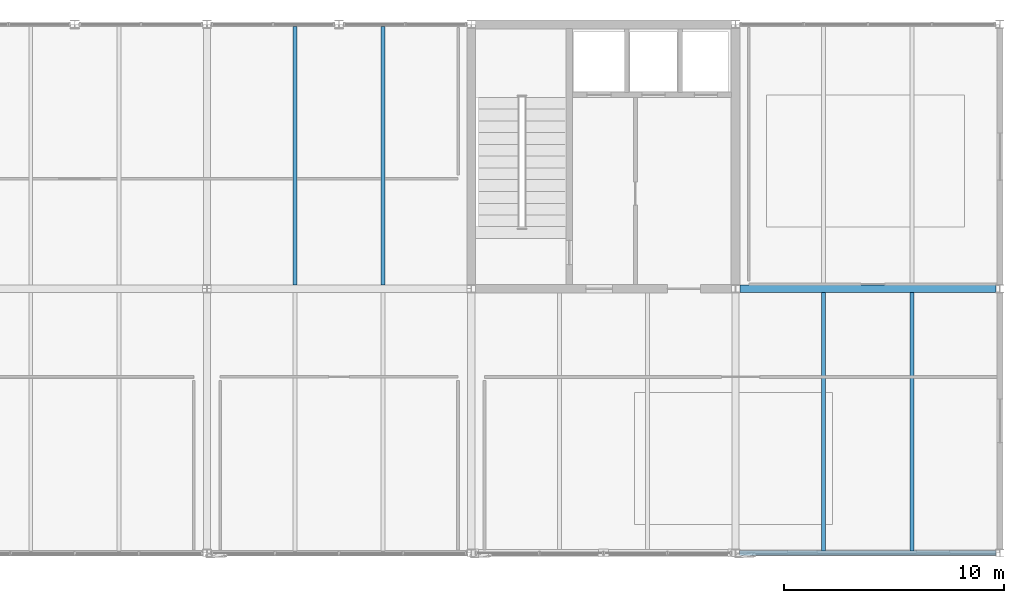
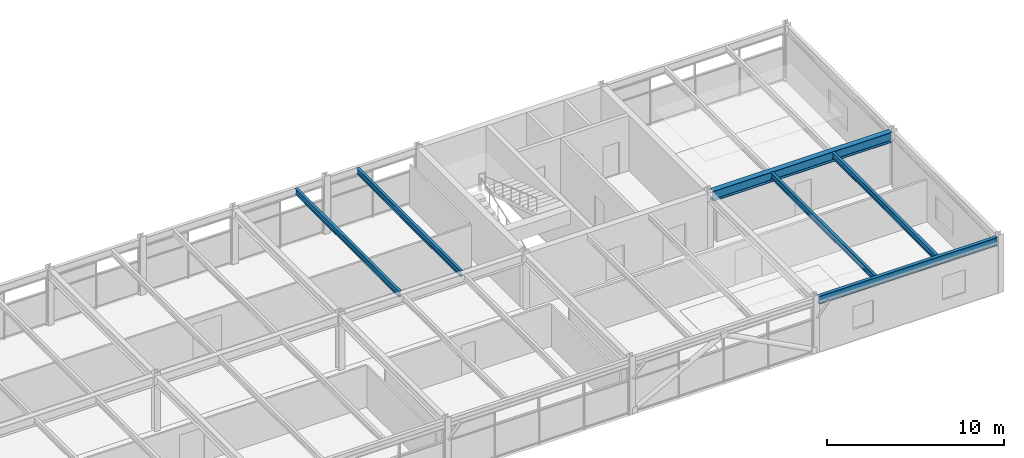
# One storey, part 30 of 40: 6 beams.
"""IFC4 building model written with IfcOpenShell, lengths in metres."""

from ifc_helpers import new_model, si_unit, direction, frame, origin, origin_2d, place, context, subcontext, project, spatial, i_section, extrude, material, material_profile, profile_set, type_object, element, save


model = new_model("IFC4")

# Units and contexts
model_context = context("Model", 3, precision=1e-05, world=origin(), true_north=direction((0.0, 1.0)))
body_context = subcontext(model_context, "Body", "Model", "MODEL_VIEW")
ifc_project = project(units=[si_unit("LENGTHUNIT", "METRE"), si_unit("AREAUNIT", "SQUARE_METRE"), si_unit("VOLUMEUNIT", "CUBIC_METRE"), si_unit("PLANEANGLEUNIT", "RADIAN"), si_unit("MASSUNIT", "GRAM", prefix="KILO")], contexts=[model_context])

# Site, building, storey
site_placement = place(None, origin())
site = spatial("IfcSite", under=ifc_project, at=site_placement, CompositionType="ELEMENT")
building_placement = place(site_placement, origin())
building = spatial("IfcBuilding", under=site, at=building_placement, Name="Girod Span Mobility Hub", CompositionType="ELEMENT")
storey_placement = place(building_placement, frame((0.0, 0.0, 53.60009765625)))
storey = spatial("IfcBuildingStorey", under=building, at=storey_placement, Name="L13", CompositionType="ELEMENT", Elevation=53.60009765625)

# Beams
ifc_material_1 = material(Name="Steel A992 Grade 50", Category="steel")
ifc_material_profile_1 = material_profile(ifc_material_1, i_section(OverallWidth=0.178955078125, OverallDepth=0.409912109375, WebThickness=0.0087890625, FlangeThickness=0.014404296875, FilletRadius=0.012939453125, at=origin_2d()), Name="W16X45")
ifc_profile_set_1 = profile_set([ifc_material_profile_1], Name="Steel A992 Grade 50")
beam_type_1 = type_object("IfcBeamType", Name="BM-STL-W16X45", PredefinedType="BEAM", material=ifc_profile_set_1)
for number, where, z_axis, x_axis, name in (
    (1, (100.0, 57.174560546875, 3.60986328125), (0.0, 1.0, 0.0), (-1.0, 0.0, 0.0), "Composite Floorbeam 9/E-1 L13"),
    (2, (104.0, 57.174560546875, 3.60986328125), (0.0, 1.0, 0.0), (-1.0, 0.0, 0.0), "Composite Floorbeam 9/E-2 L13"),
    (3, (124.0, 45.10302734375, 3.60986328125), (0.0, 1.0, 0.0), (-1.0, 0.0, 0.0), "Composite Floorbeam 11/D-1 L13"),
    (4, (128.0, 45.10302734375, 3.60986328125), (0.0, 1.0, 0.0), (-1.0, 0.0, 0.0), "Composite Floorbeam 11/D-2 L13"),
):
    element("IfcBeam", number, at=place(storey_placement, frame(where, z_axis=z_axis, x_axis=x_axis)), inside=storey, type_object=beam_type_1, Name=name, PredefinedType="BEAM", context=body_context, shape_type="SweptSolid", body=[
        extrude(i_section(OverallWidth=0.178955078125, OverallDepth=0.409912109375, WebThickness=0.0087890625, FlangeThickness=0.014404296875, FilletRadius=0.012939453125, at=origin_2d()), origin(), (0.0, 0.0, 1.0), 11.722412109375),
    ])
ifc_material_2 = material(Name="Steel A992 Grade 50", Category="steel")
ifc_material_profile_2 = material_profile(ifc_material_2, i_section(OverallWidth=0.2119140625, OverallDepth=0.5439453125, WebThickness=0.01318359375, FlangeThickness=0.021240234375, FilletRadius=0.014892578125, at=origin_2d()), Name="W21X83")
ifc_profile_set_2 = profile_set([ifc_material_profile_2], Name="Steel A992 Grade 50")
beam_type_2 = type_object("IfcBeamType", Name="BM-STL-W21X83", PredefinedType="SPANDREL", material=ifc_profile_set_2)
beam_1_placement = place(storey_placement, frame((120.181396484375, 45.0, 3.54296875), z_axis=(1.0, 0.0, 0.0), x_axis=(0.0, 1.0, 0.0)))
element("IfcBeam", 5, at=beam_1_placement, inside=storey, type_object=beam_type_2, Name="Girder 11-12/D L13", PredefinedType="SPANDREL", context=body_context, shape_type="SweptSolid", body=[
    extrude(i_section(OverallWidth=0.2119140625, OverallDepth=0.5439453125, WebThickness=0.01318359375, FlangeThickness=0.021240234375, FilletRadius=0.014892578125, at=origin_2d()), origin(), (0.0, 0.0, 1.0), 11.63720703125),
])
ifc_material_3 = material(Name="Steel A992 Grade 50", Category="steel")
ifc_material_profile_3 = material_profile(ifc_material_3, i_section(OverallWidth=0.35498046875, OverallDepth=0.695068359375, WebThickness=0.015380859375, FlangeThickness=0.02490234375, FilletRadius=0.01806640625, at=origin_2d()), Name="W27X146")
ifc_profile_set_3 = profile_set([ifc_material_profile_3], Name="Steel A992 Grade 50")
beam_type_3 = type_object("IfcBeamType", Name="BM-STL-W27X146", PredefinedType="BEAM", material=ifc_profile_set_3)
beam_2_placement = place(storey_placement, frame((120.194091796875, 57.0, 3.46728515625), z_axis=(1.0, 0.0, 0.0), x_axis=(0.0, 1.0, 0.0)))
element("IfcBeam", 6, at=beam_2_placement, inside=storey, type_object=beam_type_3, Name="Girder 11-12/E L13", PredefinedType="BEAM", context=body_context, shape_type="SweptSolid", body=[
    extrude(i_section(OverallWidth=0.35498046875, OverallDepth=0.695068359375, WebThickness=0.015380859375, FlangeThickness=0.02490234375, FilletRadius=0.01806640625, at=origin_2d()), origin(), (0.0, 0.0, 1.0), 11.62451171875),
])

save(model, "model.ifc")
